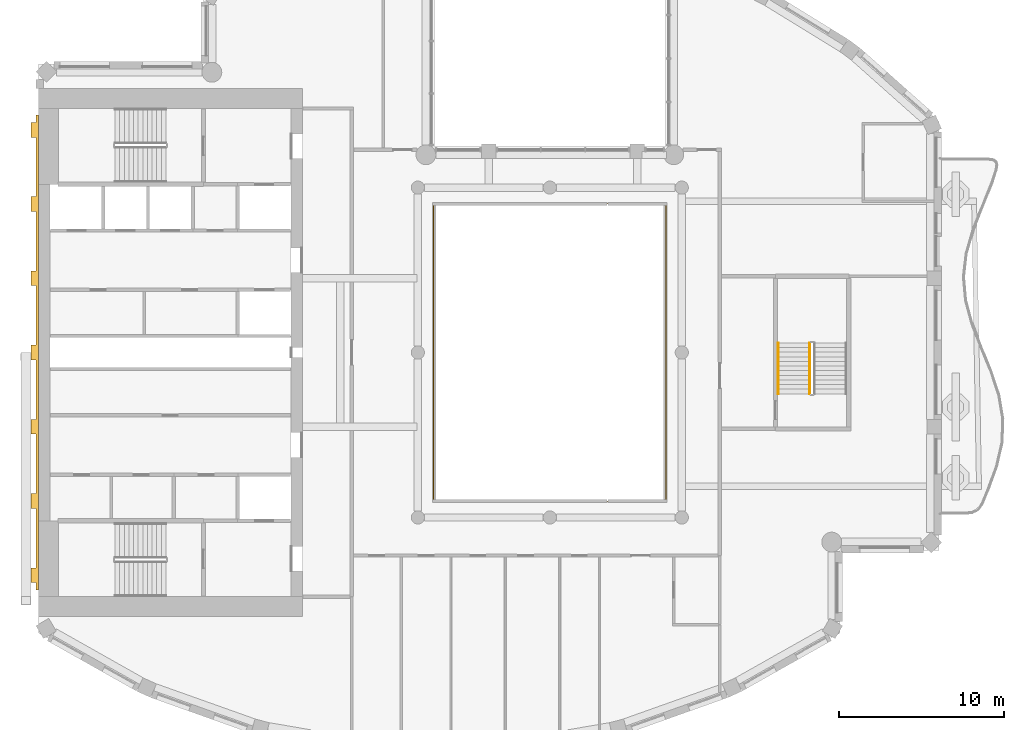
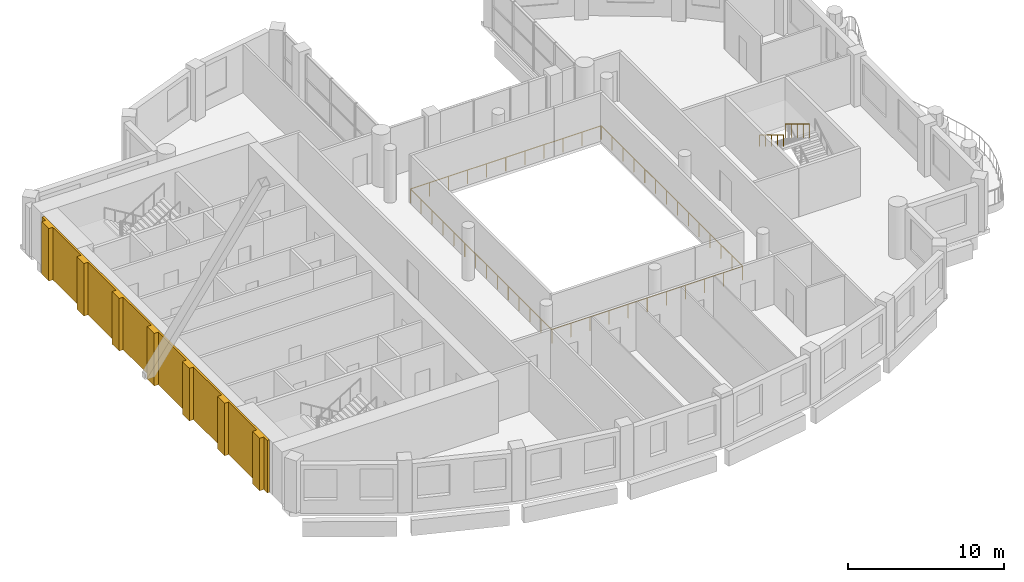
# One storey, part 12 of 15: 3 railings, 1 covering.
"""IFC4 building model written with IfcOpenShell, lengths in metres."""

from ifc_helpers import new_model, si_unit, direction, frame, origin, origin_2d, place, context, subcontext, project, spatial, polyline, rectangle, outline, extrude, material, layer, layer_set, type_object, element, save


model = new_model("IFC4")

# Units and contexts
model_context = context("Model", 3, precision=1e-05, world=origin(), true_north=direction((0.0, 1.0)))
body_context = subcontext(model_context, "Body", "Model", "MODEL_VIEW")
ifc_project = project(units=[si_unit("LENGTHUNIT", "METRE"), si_unit("AREAUNIT", "SQUARE_METRE"), si_unit("VOLUMEUNIT", "CUBIC_METRE"), si_unit("PLANEANGLEUNIT", "RADIAN"), si_unit("MASSUNIT", "GRAM", prefix="KILO")], contexts=[model_context])

# Site, building, storey
site_placement = place(None, origin())
site = spatial("IfcSite", under=ifc_project, at=site_placement, CompositionType="ELEMENT")
building_placement = place(site_placement, origin())
building = spatial("IfcBuilding", under=site, at=building_placement, Name="Cypress Arch Tower", CompositionType="ELEMENT")
storey_placement = place(building_placement, frame((0.0, 0.0, 313.10009765625)))
storey = spatial("IfcBuildingStorey", under=building, at=storey_placement, Name="L71", CompositionType="ELEMENT", Elevation=313.10009765625)

# Railings
ifc_material_1 = material(Name="Stainless steel posts and handrail, laminated glass infill", Category="steel")
railing_type_1 = type_object("IfcRailingType", Name="Atrium guard GR1100A", PredefinedType="GUARDRAIL", material=ifc_material_1)
railing_1_placement = place(storey_placement, frame((8.050048828125, -9.050048828125, 0.0)))
element("IfcRailing", 1, at=railing_1_placement, inside=storey, type_object=railing_type_1, Name="Atrium guard L71", PredefinedType="GUARDRAIL", context=body_context, shape_type="SweptSolid", body=[
    extrude(rectangle(XDim=0.050048828125, YDim=0.050048828125, at=origin_2d()), frame((0.0, 0.0, 1.0751953125), z_axis=(-1.0, 0.0, 0.0), x_axis=(0.0, -1.0, 0.0)), (0.0, 0.0, 1.0), 14.10009765625),
    extrude(rectangle(XDim=0.050048828125, YDim=0.050048828125, at=origin_2d()), frame((-14.10009765625, 0.0, 1.0751953125), z_axis=(0.0, 1.0, 0.0), x_axis=(-1.0, 0.0, 0.0)), (0.0, 0.0, 1.0), 18.10009765625),
    extrude(rectangle(XDim=0.050048828125, YDim=0.050048828125, at=origin_2d()), frame((-14.10009765625, 18.10009765625, 1.0751953125), z_axis=(1.0, 0.0, 0.0), x_axis=(0.0, 1.0, 0.0)), (0.0, 0.0, 1.0), 14.10009765625),
    extrude(rectangle(XDim=0.050048828125, YDim=0.050048828125, at=origin_2d()), frame((0.0, 18.10009765625, 1.0751953125), z_axis=(0.0, -1.0, 0.0), x_axis=(1.0, 0.0, 0.0)), (0.0, 0.0, 1.0), 18.10009765625),
    extrude(rectangle(XDim=0.050048828125, YDim=0.050048828125, at=origin_2d()), origin(), (0.0, 0.0, 1.0), 1.050048828125),
    extrude(rectangle(XDim=0.050048828125, YDim=0.050048828125, at=origin_2d()), frame((-1.409912109375, 0.0, 0.0)), (0.0, 0.0, 1.0), 1.050048828125),
    extrude(rectangle(XDim=0.050048828125, YDim=0.050048828125, at=origin_2d()), frame((-2.820068359375, 0.0, 0.0)), (0.0, 0.0, 1.0), 1.050048828125),
    extrude(rectangle(XDim=0.050048828125, YDim=0.050048828125, at=origin_2d()), frame((-4.22998046875, 0.0, 0.0)), (0.0, 0.0, 1.0), 1.050048828125),
    extrude(rectangle(XDim=0.050048828125, YDim=0.050048828125, at=origin_2d()), frame((-5.64013671875, 0.0, 0.0)), (0.0, 0.0, 1.0), 1.050048828125),
    extrude(rectangle(XDim=0.050048828125, YDim=0.050048828125, at=origin_2d()), frame((-7.050048828125, 0.0, 0.0)), (0.0, 0.0, 1.0), 1.050048828125),
    extrude(rectangle(XDim=0.050048828125, YDim=0.050048828125, at=origin_2d()), frame((-8.4599609375, 0.0, 0.0)), (0.0, 0.0, 1.0), 1.050048828125),
    extrude(rectangle(XDim=0.050048828125, YDim=0.050048828125, at=origin_2d()), frame((-9.8701171875, 0.0, 0.0)), (0.0, 0.0, 1.0), 1.050048828125),
    extrude(rectangle(XDim=0.050048828125, YDim=0.050048828125, at=origin_2d()), frame((-11.280029296875, 0.0, 0.0)), (0.0, 0.0, 1.0), 1.050048828125),
    extrude(rectangle(XDim=0.050048828125, YDim=0.050048828125, at=origin_2d()), frame((-12.690185546875, 0.0, 0.0)), (0.0, 0.0, 1.0), 1.050048828125),
    extrude(rectangle(XDim=0.050048828125, YDim=0.050048828125, at=origin_2d()), frame((-14.10009765625, 0.0, 0.0)), (0.0, 0.0, 1.0), 1.050048828125),
    extrude(rectangle(XDim=0.050048828125, YDim=0.050048828125, at=origin_2d()), frame((-14.10009765625, 1.392333984375, 0.0)), (0.0, 0.0, 1.0), 1.050048828125),
    extrude(rectangle(XDim=0.050048828125, YDim=0.050048828125, at=origin_2d()), frame((-14.10009765625, 2.78466796875, 0.0)), (0.0, 0.0, 1.0), 1.050048828125),
    extrude(rectangle(XDim=0.050048828125, YDim=0.050048828125, at=origin_2d()), frame((-14.10009765625, 4.177001953125, 0.0)), (0.0, 0.0, 1.0), 1.050048828125),
    extrude(rectangle(XDim=0.050048828125, YDim=0.050048828125, at=origin_2d()), frame((-14.10009765625, 5.5693359375, 0.0)), (0.0, 0.0, 1.0), 1.050048828125),
    extrude(rectangle(XDim=0.050048828125, YDim=0.050048828125, at=origin_2d()), frame((-14.10009765625, 6.961669921875, 0.0)), (0.0, 0.0, 1.0), 1.050048828125),
    extrude(rectangle(XDim=0.050048828125, YDim=0.050048828125, at=origin_2d()), frame((-14.10009765625, 8.35400390625, 0.0)), (0.0, 0.0, 1.0), 1.050048828125),
    extrude(rectangle(XDim=0.050048828125, YDim=0.050048828125, at=origin_2d()), frame((-14.10009765625, 9.74609375, 0.0)), (0.0, 0.0, 1.0), 1.050048828125),
    extrude(rectangle(XDim=0.050048828125, YDim=0.050048828125, at=origin_2d()), frame((-14.10009765625, 11.138427734375, 0.0)), (0.0, 0.0, 1.0), 1.050048828125),
    extrude(rectangle(XDim=0.050048828125, YDim=0.050048828125, at=origin_2d()), frame((-14.10009765625, 12.53076171875, 0.0)), (0.0, 0.0, 1.0), 1.050048828125),
    extrude(rectangle(XDim=0.050048828125, YDim=0.050048828125, at=origin_2d()), frame((-14.10009765625, 13.923095703125, 0.0)), (0.0, 0.0, 1.0), 1.050048828125),
    extrude(rectangle(XDim=0.050048828125, YDim=0.050048828125, at=origin_2d()), frame((-14.10009765625, 15.3154296875, 0.0)), (0.0, 0.0, 1.0), 1.050048828125),
    extrude(rectangle(XDim=0.050048828125, YDim=0.050048828125, at=origin_2d()), frame((-14.10009765625, 16.707763671875, 0.0)), (0.0, 0.0, 1.0), 1.050048828125),
    extrude(rectangle(XDim=0.050048828125, YDim=0.050048828125, at=origin_2d()), frame((-14.10009765625, 18.10009765625, 0.0)), (0.0, 0.0, 1.0), 1.050048828125),
    extrude(rectangle(XDim=0.050048828125, YDim=0.050048828125, at=origin_2d()), frame((-12.690185546875, 18.10009765625, 0.0)), (0.0, 0.0, 1.0), 1.050048828125),
    extrude(rectangle(XDim=0.050048828125, YDim=0.050048828125, at=origin_2d()), frame((-11.280029296875, 18.10009765625, 0.0)), (0.0, 0.0, 1.0), 1.050048828125),
    extrude(rectangle(XDim=0.050048828125, YDim=0.050048828125, at=origin_2d()), frame((-9.8701171875, 18.10009765625, 0.0)), (0.0, 0.0, 1.0), 1.050048828125),
    extrude(rectangle(XDim=0.050048828125, YDim=0.050048828125, at=origin_2d()), frame((-8.4599609375, 18.10009765625, 0.0)), (0.0, 0.0, 1.0), 1.050048828125),
    extrude(rectangle(XDim=0.050048828125, YDim=0.050048828125, at=origin_2d()), frame((-7.050048828125, 18.10009765625, 0.0)), (0.0, 0.0, 1.0), 1.050048828125),
    extrude(rectangle(XDim=0.050048828125, YDim=0.050048828125, at=origin_2d()), frame((-5.64013671875, 18.10009765625, 0.0)), (0.0, 0.0, 1.0), 1.050048828125),
    extrude(rectangle(XDim=0.050048828125, YDim=0.050048828125, at=origin_2d()), frame((-4.22998046875, 18.10009765625, 0.0)), (0.0, 0.0, 1.0), 1.050048828125),
    extrude(rectangle(XDim=0.050048828125, YDim=0.050048828125, at=origin_2d()), frame((-2.820068359375, 18.10009765625, 0.0)), (0.0, 0.0, 1.0), 1.050048828125),
    extrude(rectangle(XDim=0.050048828125, YDim=0.050048828125, at=origin_2d()), frame((-1.409912109375, 18.10009765625, 0.0)), (0.0, 0.0, 1.0), 1.050048828125),
    extrude(rectangle(XDim=0.050048828125, YDim=0.050048828125, at=origin_2d()), frame((0.0, 18.10009765625, 0.0)), (0.0, 0.0, 1.0), 1.050048828125),
    extrude(rectangle(XDim=0.050048828125, YDim=0.050048828125, at=origin_2d()), frame((0.0, 16.707763671875, 0.0)), (0.0, 0.0, 1.0), 1.050048828125),
    extrude(rectangle(XDim=0.050048828125, YDim=0.050048828125, at=origin_2d()), frame((0.0, 15.3154296875, 0.0)), (0.0, 0.0, 1.0), 1.050048828125),
    extrude(rectangle(XDim=0.050048828125, YDim=0.050048828125, at=origin_2d()), frame((0.0, 13.923095703125, 0.0)), (0.0, 0.0, 1.0), 1.050048828125),
    extrude(rectangle(XDim=0.050048828125, YDim=0.050048828125, at=origin_2d()), frame((0.0, 12.53076171875, 0.0)), (0.0, 0.0, 1.0), 1.050048828125),
    extrude(rectangle(XDim=0.050048828125, YDim=0.050048828125, at=origin_2d()), frame((0.0, 11.138427734375, 0.0)), (0.0, 0.0, 1.0), 1.050048828125),
    extrude(rectangle(XDim=0.050048828125, YDim=0.050048828125, at=origin_2d()), frame((0.0, 9.74609375, 0.0)), (0.0, 0.0, 1.0), 1.050048828125),
    extrude(rectangle(XDim=0.050048828125, YDim=0.050048828125, at=origin_2d()), frame((0.0, 8.35400390625, 0.0)), (0.0, 0.0, 1.0), 1.050048828125),
    extrude(rectangle(XDim=0.050048828125, YDim=0.050048828125, at=origin_2d()), frame((0.0, 6.961669921875, 0.0)), (0.0, 0.0, 1.0), 1.050048828125),
    extrude(rectangle(XDim=0.050048828125, YDim=0.050048828125, at=origin_2d()), frame((0.0, 5.5693359375, 0.0)), (0.0, 0.0, 1.0), 1.050048828125),
    extrude(rectangle(XDim=0.050048828125, YDim=0.050048828125, at=origin_2d()), frame((0.0, 4.177001953125, 0.0)), (0.0, 0.0, 1.0), 1.050048828125),
    extrude(rectangle(XDim=0.050048828125, YDim=0.050048828125, at=origin_2d()), frame((0.0, 2.78466796875, 0.0)), (0.0, 0.0, 1.0), 1.050048828125),
    extrude(rectangle(XDim=0.050048828125, YDim=0.050048828125, at=origin_2d()), frame((0.0, 1.392333984375, 0.0)), (0.0, 0.0, 1.0), 1.050048828125),
])
ifc_material_2 = material(Name="Black powder-coated steel square bar 48 mm", Category="steel")
railing_type_2 = type_object("IfcRailingType", Name="Stair handrail HR1", PredefinedType="HANDRAIL", material=ifc_material_2)
railing_2_placement = place(storey_placement, frame((14.85009765625, 0.580078125, 2.220703125)))
element("IfcRailing", 2, at=railing_2_placement, inside=storey, type_object=railing_type_2, Name="L71 C stair handrail 2", PredefinedType="HANDRAIL", context=body_context, shape_type="SweptSolid", body=[
    extrude(rectangle(XDim=0.048095703125, YDim=0.048095703125, at=origin_2d()), frame((0.0, 0.0, 0.8759765625), z_axis=(0.0, -0.853666305674, 0.52082035152), x_axis=(1.0, 0.0, 0.0)), (0.0, 0.0, 1.0), 3.608154296875),
    extrude(rectangle(XDim=0.0419921875, YDim=0.0419921875, at=origin_2d()), origin(), (0.0, 0.0, 1.0), 0.851806640625),
    extrude(rectangle(XDim=0.0419921875, YDim=0.0419921875, at=origin_2d()), frame((0.0, -0.77001953125, 0.4697265625)), (0.0, 0.0, 1.0), 0.851806640625),
    extrude(rectangle(XDim=0.0419921875, YDim=0.0419921875, at=origin_2d()), frame((0.0, -1.5400390625, 0.939453125)), (0.0, 0.0, 1.0), 0.851806640625),
    extrude(rectangle(XDim=0.0419921875, YDim=0.0419921875, at=origin_2d()), frame((0.0, -2.31005859375, 1.409423828125)), (0.0, 0.0, 1.0), 0.851806640625),
    extrude(rectangle(XDim=0.0419921875, YDim=0.0419921875, at=origin_2d()), frame((0.0, -3.080078125, 1.879150390625)), (0.0, 0.0, 1.0), 0.851806640625),
])
ifc_material_3 = material(Name="Black powder-coated steel balusters", Category="steel")
railing_type_3 = type_object("IfcRailingType", Name="Stair well guard G1", PredefinedType="GUARDRAIL", material=ifc_material_3)
railing_3_placement = place(storey_placement, frame((16.75, 0.580078125, 2.220703125)))
element("IfcRailing", 3, at=railing_3_placement, inside=storey, type_object=railing_type_3, Name="L71 C stair guard 3", PredefinedType="GUARDRAIL", context=body_context, shape_type="SweptSolid", body=[
    extrude(rectangle(XDim=0.048095703125, YDim=0.048095703125, at=origin_2d()), frame((0.0, 0.0, 1.076171875), z_axis=(0.0, -0.853666305674, 0.52082035152), x_axis=(1.0, 0.0, 0.0)), (0.0, 0.0, 1.0), 3.608154296875),
    extrude(rectangle(XDim=0.0419921875, YDim=0.0419921875, at=origin_2d()), origin(), (0.0, 0.0, 1.0), 1.052001953125),
    extrude(rectangle(XDim=0.0419921875, YDim=0.0419921875, at=origin_2d()), frame((0.0, -0.77001953125, 0.4697265625)), (0.0, 0.0, 1.0), 1.052001953125),
    extrude(rectangle(XDim=0.0419921875, YDim=0.0419921875, at=origin_2d()), frame((0.0, -1.5400390625, 0.939453125)), (0.0, 0.0, 1.0), 1.052001953125),
    extrude(rectangle(XDim=0.0419921875, YDim=0.0419921875, at=origin_2d()), frame((0.0, -2.31005859375, 1.409423828125)), (0.0, 0.0, 1.0), 1.052001953125),
    extrude(rectangle(XDim=0.0419921875, YDim=0.0419921875, at=origin_2d()), frame((0.0, -3.080078125, 1.879150390625)), (0.0, 0.0, 1.0), 1.052001953125),
])

# Covering
ifc_material_4 = material(Name="Brick (red buff blend)", Category="masonry")
ifc_layer = layer(ifc_material_4, 0.449951171875)
ifc_layer_set = layer_set([ifc_layer], Name="West face brick piers WP450")
covering_type = type_object("IfcCoveringType", Name="West face brick piers WP450", PredefinedType="CLADDING", material=ifc_layer_set)
covering_placement = place(storey_placement, origin())
element("IfcCovering", 4, at=covering_placement, inside=storey, type_object=covering_type, Name="West face brick piers L71", PredefinedType="CLADDING", context=body_context, shape_type="SweptSolid", body=[
    extrude(outline(polyline([(-30.14990234375, -13.050048828125), (-30.14990234375, -9.449951171875), (-30.449951171875, -9.449951171875), (-30.449951171875, -8.550048828125), (-30.14990234375, -8.550048828125), (-30.14990234375, -4.949951171875), (-30.449951171875, -4.949951171875), (-30.449951171875, -4.050048828125), (-30.14990234375, -4.050048828125), (-30.14990234375, -0.449951171875), (-30.449951171875, -0.449951171875), (-30.449951171875, 0.449951171875), (-30.14990234375, 0.449951171875), (-30.14990234375, 4.050048828125), (-30.449951171875, 4.050048828125), (-30.449951171875, 4.949951171875), (-30.14990234375, 4.949951171875), (-30.14990234375, 8.550048828125), (-30.449951171875, 8.550048828125), (-30.449951171875, 9.449951171875), (-30.14990234375, 9.449951171875), (-30.14990234375, 13.050048828125), (-30.449951171875, 13.050048828125), (-30.449951171875, 13.949951171875), (-30.14990234375, 13.949951171875), (-30.14990234375, 14.39990234375), (-30.0, 14.39990234375), (-30.0, -14.39990234375), (-30.14990234375, -14.39990234375), (-30.14990234375, -13.949951171875), (-30.449951171875, -13.949951171875), (-30.449951171875, -13.050048828125), (-30.14990234375, -13.050048828125)])), origin(), (0.0, 0.0, 1.0), 4.099853515625),
])

save(model, "model.ifc")
